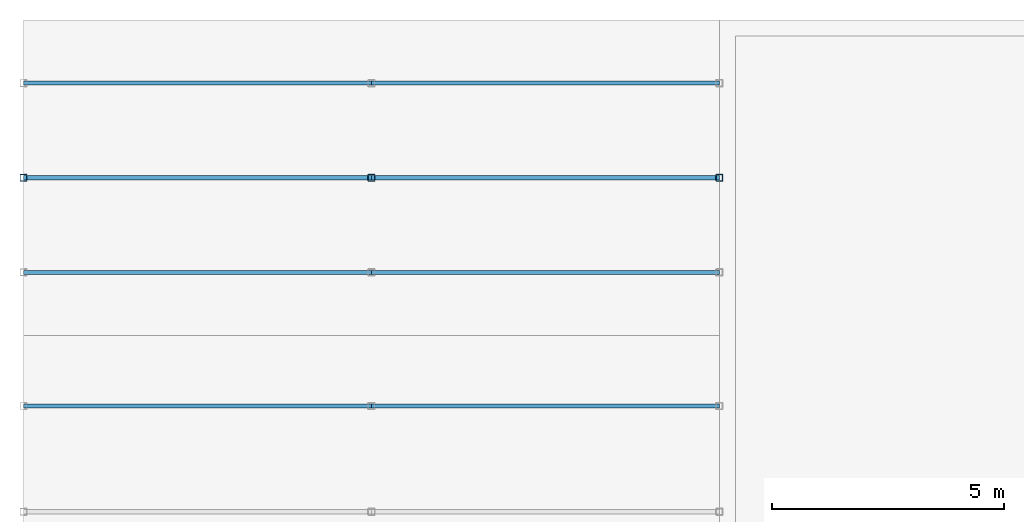
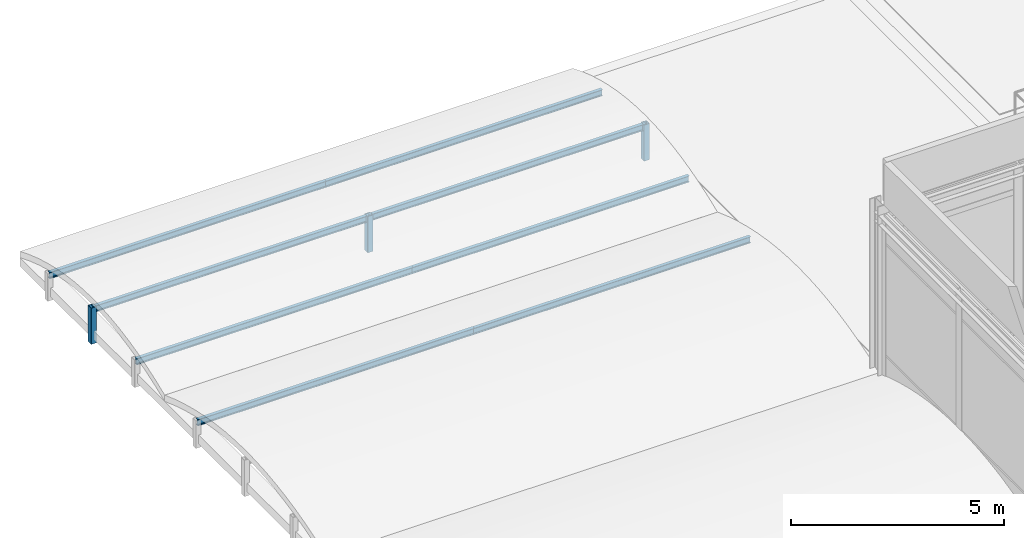
# One storey, part 38 of 79: 11 members.
"""IFC4 building model written with IfcOpenShell, lengths in metres."""

from ifc_helpers import new_model, si_unit, direction, frame, origin, origin_2d, place, context, subcontext, project, spatial, hollow_rectangle, i_section, extrude, material, material_profile, profile_set, type_object, element, save


model = new_model("IFC4")

# Units and contexts
model_context = context("Model", 3, precision=1e-05, world=origin(), true_north=direction((0.0, 1.0)))
body_context = subcontext(model_context, "Body", "Model", "MODEL_VIEW")
ifc_project = project(units=[si_unit("LENGTHUNIT", "METRE"), si_unit("AREAUNIT", "SQUARE_METRE"), si_unit("VOLUMEUNIT", "CUBIC_METRE"), si_unit("PLANEANGLEUNIT", "RADIAN"), si_unit("MASSUNIT", "GRAM", prefix="KILO")], contexts=[model_context])

# Site, building, storey
site_placement = place(None, origin())
site = spatial("IfcSite", under=ifc_project, at=site_placement, CompositionType="ELEMENT")
building_placement = place(site_placement, origin())
building = spatial("IfcBuilding", under=site, at=building_placement, Name="Shalkamar Park Central Library", CompositionType="ELEMENT")
storey_placement = place(building_placement, frame((0.0, 0.0, 10.5)))
storey = spatial("IfcBuildingStorey", under=building, at=storey_placement, Name="L03", CompositionType="ELEMENT", Elevation=10.5)

# Members
ifc_material = material(Name="Steel S355", Category="steel")
ifc_material_profile_1 = material_profile(ifc_material, hollow_rectangle(XDim=0.14990234375, YDim=0.14990234375, WallThickness=0.008056640625, InnerFilletRadius=0.008056640625, OuterFilletRadius=0.011962890625, at=origin_2d()), Name="SHS 150x150x8")
ifc_profile_set_1 = profile_set([ifc_material_profile_1], Name="Steel S355")
member_type_1 = type_object("IfcMemberType", Name="Diagonal Brace SHS150", PredefinedType="BRACE", material=ifc_profile_set_1)
for number, where, z_axis, x_axis, name in (
    (1, (135.0, 334.60009765625, -0.360107421875), (0.0, 0.0, 1.0), (1.0, 0.0, 0.0), "Vault Arch Post BV-L02-W10-03.2"),
    (2, (142.5, 334.60009765625, -0.360107421875), (0.0, 0.0, 1.0), (1.0, 0.0, 0.0), "Vault Arch Post BV-L02-W10-04.2"),
    (3, (150.0, 334.60009765625, -0.360107421875), (0.0, 0.0, 1.0), (1.0, 0.0, 0.0), "Vault Arch Post BV-L02-W10-05.2"),
):
    element("IfcMember", number, at=place(storey_placement, frame(where, z_axis=z_axis, x_axis=x_axis)), inside=storey, type_object=member_type_1, Name=name, PredefinedType="BRACE", context=body_context, shape_type="SweptSolid", body=[
        extrude(hollow_rectangle(XDim=0.14990234375, YDim=0.14990234375, WallThickness=0.008056640625, InnerFilletRadius=0.008056640625, OuterFilletRadius=0.011962890625, at=origin_2d()), origin(), (0.0, 0.0, 1.0), 1.0400390625),
    ])
ifc_material_profile_2 = material_profile(ifc_material, i_section(OverallWidth=0.091064453125, OverallDepth=0.179931640625, WebThickness=0.00537109375, FlangeThickness=0.008056640625, FilletRadius=0.009033203125, at=origin_2d()), Name="IPE 180")
ifc_profile_set_2 = profile_set([ifc_material_profile_2], Name="Steel S355")
member_type_2 = type_object("IfcMemberType", Name="Roof Purlin IPE180", PredefinedType="PURLIN", material=ifc_profile_set_2)
for number, where, z_axis, x_axis, name in (
    (4, (135.0, 329.679931640625, 0.330810546875), (1.0, 0.0, 0.0), (0.0, 1.0, 0.0), "Barrel Roof Purlin BV-L02-W9-3.03"),
    (5, (142.5, 329.679931640625, 0.330810546875), (1.0, 0.0, 0.0), (0.0, 1.0, 0.0), "Barrel Roof Purlin BV-L02-W9-3.04"),
    (6, (135.0, 332.56005859375, 0.330810546875), (1.0, 0.0, 0.0), (0.0, 1.0, 0.0), "Barrel Roof Purlin BV-L02-W10-1.03"),
    (7, (142.5, 332.56005859375, 0.330810546875), (1.0, 0.0, 0.0), (0.0, 1.0, 0.0), "Barrel Roof Purlin BV-L02-W10-1.04"),
    (8, (135.0, 334.60009765625, 0.590087890625), (1.0, 0.0, 0.0), (0.0, 1.0, 0.0), "Barrel Roof Purlin BV-L02-W10-2.03"),
    (9, (142.5, 334.60009765625, 0.590087890625), (1.0, 0.0, 0.0), (0.0, 1.0, 0.0), "Barrel Roof Purlin BV-L02-W10-2.04"),
    (10, (135.0, 336.639892578125, 0.330810546875), (1.0, 0.0, 0.0), (0.0, 1.0, 0.0), "Barrel Roof Purlin BV-L02-W10-3.03"),
    (11, (142.5, 336.639892578125, 0.330810546875), (1.0, 0.0, 0.0), (0.0, 1.0, 0.0), "Barrel Roof Purlin BV-L02-W10-3.04"),
):
    element("IfcMember", number, at=place(storey_placement, frame(where, z_axis=z_axis, x_axis=x_axis)), inside=storey, type_object=member_type_2, Name=name, PredefinedType="PURLIN", context=body_context, shape_type="SweptSolid", body=[
        extrude(i_section(OverallWidth=0.091064453125, OverallDepth=0.179931640625, WebThickness=0.00537109375, FlangeThickness=0.008056640625, FilletRadius=0.009033203125, at=origin_2d()), origin(), (0.0, 0.0, 1.0), 7.5),
    ])

save(model, "model.ifc")
